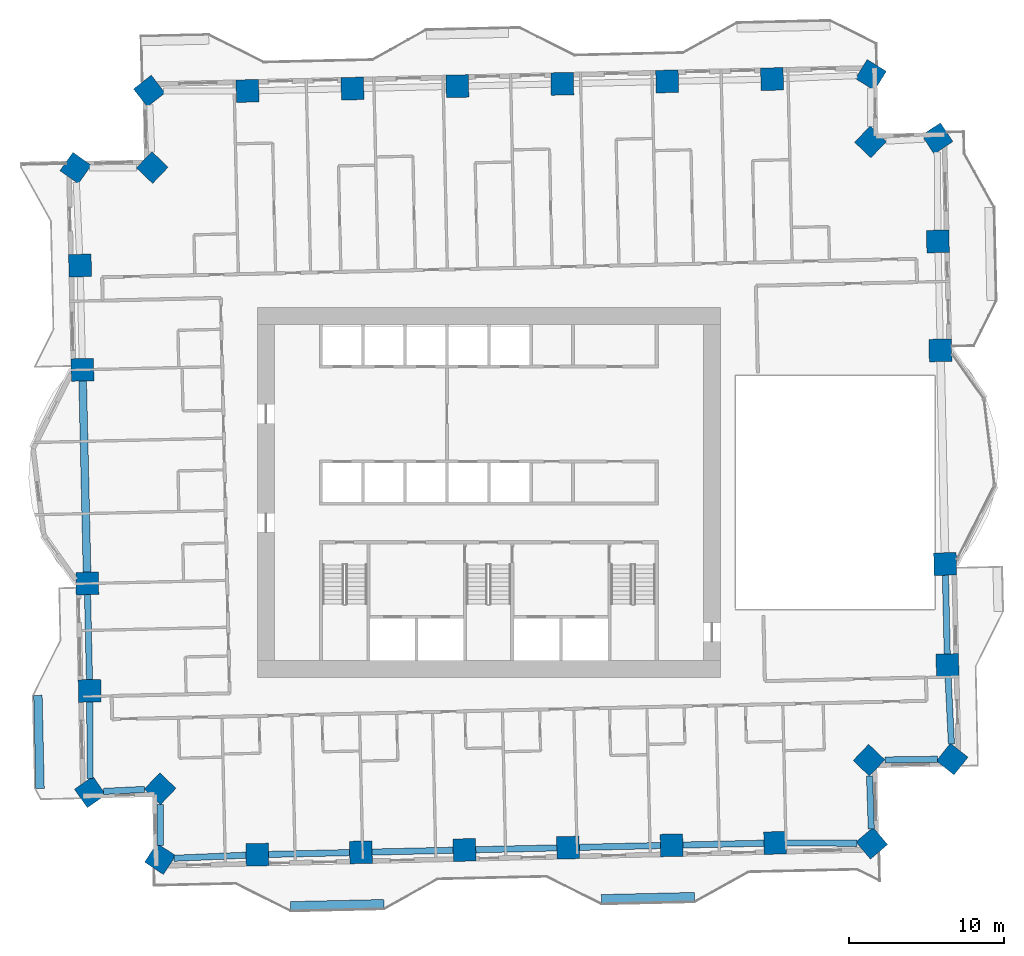
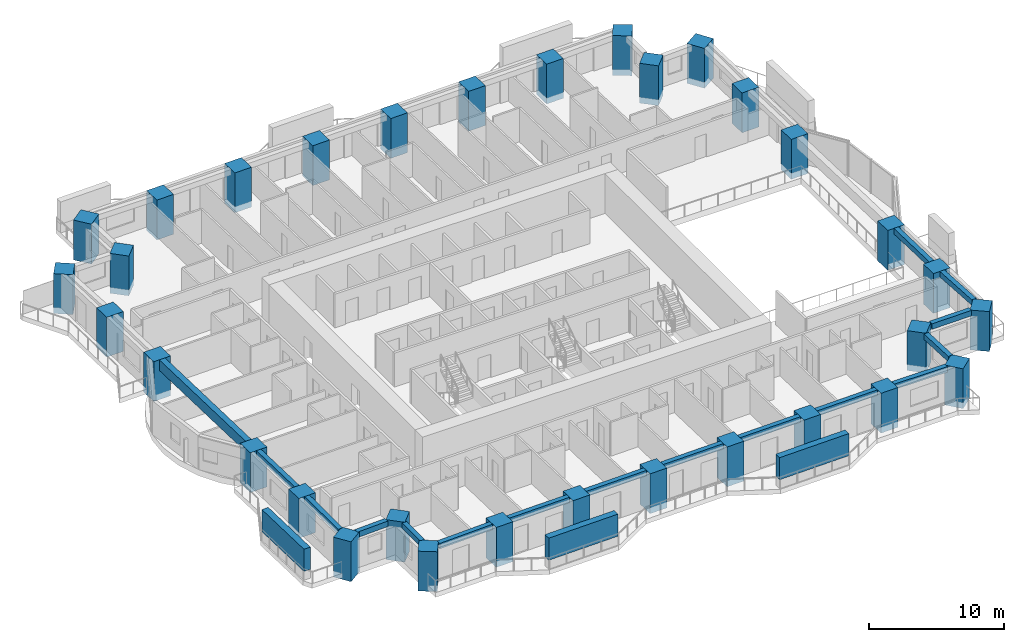
# One storey, part 1 of 17: 32 columns, 16 beams, 3 members.
"""IFC4 building model written with IfcOpenShell, lengths in metres."""

from ifc_helpers import new_model, si_unit, direction, frame, origin, origin_2d, place, context, subcontext, project, spatial, rectangle, extrude, material, material_profile, profile_set, type_object, element, save


model = new_model("IFC4")

# Units and contexts
model_context = context("Model", 3, precision=1e-05, world=origin(), true_north=direction((0.0, 1.0)))
body_context = subcontext(model_context, "Body", "Model", "MODEL_VIEW")
ifc_project = project(units=[si_unit("LENGTHUNIT", "METRE"), si_unit("AREAUNIT", "SQUARE_METRE"), si_unit("VOLUMEUNIT", "CUBIC_METRE"), si_unit("PLANEANGLEUNIT", "RADIAN"), si_unit("MASSUNIT", "GRAM", prefix="KILO")], contexts=[model_context])

# Site, building, storey
site_placement = place(None, origin())
site = spatial("IfcSite", under=ifc_project, at=site_placement, CompositionType="ELEMENT")
building_placement = place(site_placement, origin())
building = spatial("IfcBuilding", under=site, at=building_placement, Name="Mangrove Gate Tower", CompositionType="ELEMENT")
storey_placement = place(building_placement, frame((0.0, 0.0, 82.89990234375)))
storey = spatial("IfcBuildingStorey", under=building, at=storey_placement, Name="L20", CompositionType="ELEMENT", Elevation=82.89990234375)

# Columns
ifc_material_1 = material(Name="Concrete C70/85", Category="concrete")
ifc_material_profile_1 = material_profile(ifc_material_1, rectangle(XDim=1.449951171875, YDim=1.449951171875, at=origin_2d()))
ifc_profile_set_1 = profile_set([ifc_material_profile_1], Name="Concrete C70/85")
column_type = type_object("IfcColumnType", Name="Column RC 1450x1450 C70/85", PredefinedType="COLUMN", material=ifc_profile_set_1)
for number, where, z_axis, x_axis, name in (
    (1, (-25.84814453125, -5.849609375, -0.5498046875), (0.0, 0.0, 1.0), (0.022697227041, -0.99974238476, 0.0), "Column L20 W05"),
    (2, (-25.691162109375, -12.760498046875, -0.5498046875), (0.0, 0.0, 1.0), (0.022711552501, -0.999742059425, 0.0), "Column L20 W06"),
    (3, (-25.664794921875, -19.272705078125, -0.5498046875), (0.0, 0.0, 1.0), (0.572799342172, -0.819695622538, 0.0), "Column L20 W07"),
    (4, (-21.1591796875, -19.058837890625, -0.5498046875), (0.0, 0.0, 1.0), (0.722988982899, -0.690859559249, 0.0), "Column L20 W08"),
    (5, (-21.157958984375, -23.576171875, -0.5498046875), (0.0, 0.0, 1.0), (0.835754041756, -0.549103980762, 0.0), "Column L20 S01"),
    (6, (-14.906494140625, -23.30615234375, -0.5498046875), (0.0, 0.0, 1.0), (0.999741835415, 0.022721411066, 0.0), "Column L20 S02"),
    (7, (-8.240478515625, -23.154296875, -0.5498046875), (0.0, 0.0, 1.0), (0.999741796947, 0.022723103599, 0.0), "Column L20 S03"),
    (8, (-1.575439453125, -23.003173828125, -0.5498046875), (0.0, 0.0, 1.0), (0.999743497505, 0.022648160999, 0.0), "Column L20 S04"),
    (9, (5.090576171875, -22.852294921875, -0.5498046875), (0.0, 0.0, 1.0), (0.999743536241, 0.022646451015, 0.0), "Column L20 S05"),
    (10, (11.756591796875, -22.701171875, -0.5498046875), (0.0, 0.0, 1.0), (0.999741796947, 0.022723103599, 0.0), "Column L20 S06"),
    (11, (18.421630859375, -22.549072265625, -0.5498046875), (0.0, 0.0, 1.0), (0.999741796947, 0.022723103599, 0.0), "Column L20 S07"),
    (12, (24.635009765625, -22.570068359375, -0.5498046875), (0.0, 0.0, 1.0), (0.762709463852, 0.646741272651, 0.0), "Column L20 S08"),
    (13, (24.457763671875, -17.22412109375, -0.5498046875), (0.0, 0.0, 1.0), (0.690883635037, 0.722965976266, 0.0), "Column L20 E01"),
    (14, (29.8115234375, -17.152099609375, -0.5498046875), (0.0, 0.0, 1.0), (0.620563665396, 0.784156066858, 0.0), "Column L20 E02"),
    (15, (29.507080078125, -11.107421875, -0.5498046875), (0.0, 0.0, 1.0), (-0.02264990588, 0.999743457975, 0.0), "Column L20 E03"),
    (16, (29.360107421875, -4.597412109375, -0.5498046875), (0.0, 0.0, 1.0), (-0.022653011769, 0.999743387604, 0.0), "Column L20 E04"),
    (17, (29.048095703125, 9.149658203125, -0.5498046875), (0.0, 0.0, 1.0), (-0.022684210237, 0.999742680196, 0.0), "Column L20 E05"),
    (18, (28.88916015625, 16.16064453125, -0.5498046875), (0.0, 0.0, 1.0), (-0.022674438908, 0.99974290186, 0.0), "Column L20 E06"),
    (19, (28.849853515625, 22.787841796875, -0.5498046875), (0.0, 0.0, 1.0), (-0.550567885303, 0.834790395053, 0.0), "Column L20 E07"),
    (20, (24.55517578125, 22.56396484375, -0.5498046875), (0.0, 0.0, 1.0), (-0.722913991344, 0.690938029869, 0.0), "Column L20 E08"),
    (21, (24.57421875, 26.87060546875, -0.5498046875), (0.0, 0.0, 1.0), (-0.85008265929, 0.526649287832, 0.0), "Column L20 N01"),
    (22, (18.220458984375, 26.608154296875, -0.5498046875), (0.0, 0.0, 1.0), (-0.999741644236, -0.022729821381, 0.0), "Column L20 N02"),
    (23, (11.469482421875, 26.455078125, -0.5498046875), (0.0, 0.0, 1.0), (-0.999743285984, -0.022657496114, 0.0), "Column L20 N03"),
    (24, (4.718505859375, 26.30224609375, -0.5498046875), (0.0, 0.0, 1.0), (-0.999743323945, -0.022655821028, 0.0), "Column L20 N04"),
    (25, (-2.033447265625, 26.149169921875, -0.5498046875), (0.0, 0.0, 1.0), (-0.999741644236, -0.022729821381, 0.0), "Column L20 N05"),
    (26, (-8.784423828125, 25.9951171875, -0.5498046875), (0.0, 0.0, 1.0), (-0.999741644236, -0.022729821381, 0.0), "Column L20 N06"),
    (27, (-15.53662109375, 25.84228515625, -0.5498046875), (0.0, 0.0, 1.0), (-0.999743323945, -0.022655821028, 0.0), "Column L20 N07"),
    (28, (-21.859375, 25.84130859375, -0.5498046875), (0.0, 0.0, 1.0), (-0.789979802002, -0.613132866864, 0.0), "Column L20 N08"),
    (29, (-21.666748046875, 20.9140625, -0.5498046875), (0.0, 0.0, 1.0), (-0.690872556232, -0.722976563275, 0.0), "Column L20 W01"),
    (30, (-26.597900390625, 20.88232421875, -0.5498046875), (0.0, 0.0, 1.0), (-0.5789981691, -0.815328841744, 0.0), "Column L20 W02"),
    (31, (-26.312255859375, 14.607421875, -0.5498046875), (0.0, 0.0, 1.0), (0.022645264495, -0.999743563118, 0.0), "Column L20 W03"),
    (32, (-26.16015625, 7.8974609375, -0.5498046875), (0.0, 0.0, 1.0), (0.022675887158, -0.999742869013, 0.0), "Column L20 W04"),
):
    element("IfcColumn", number, at=place(storey_placement, frame(where, z_axis=z_axis, x_axis=x_axis)), inside=storey, type_object=column_type, Name=name, PredefinedType="COLUMN", context=body_context, shape_type="SweptSolid", body=[
        extrude(rectangle(XDim=1.449951171875, YDim=1.449951171875, at=origin_2d()), origin(), (0.0, 0.0, 1.0), 3.599853515625),
    ])

# Members
ifc_material_2 = material(Name="Planting on aluminium trellis", Category="aluminium")
ifc_material_profile_2 = material_profile(ifc_material_2, rectangle(XDim=0.550048828125, YDim=2.0, at=origin_2d()))
ifc_profile_set_2 = profile_set([ifc_material_profile_2], Name="Planting on aluminium trellis")
member_type = type_object("IfcMemberType", Name="Balcony greenery screen 550x2000", PredefinedType="USERDEFINED", material=ifc_profile_set_2)
member_placement = place(storey_placement, frame((-28.888916015625, -19.047119140625, 1.800048828125), z_axis=(-0.022665943652, 0.999743094499, 0.0), x_axis=(-0.999743094499, -0.022665943652, 0.0)))
element("IfcMember", 33, at=member_placement, inside=storey, type_object=member_type, Name="GREEN SCREEN L20 W1.1", ObjectType="PLANTING", PredefinedType="USERDEFINED", context=body_context, shape_type="SweptSolid", body=[
    extrude(rectangle(XDim=0.550048828125, YDim=2.0, at=origin_2d()), origin(), (0.0, 0.0, 1.0), 5.99951171875),
])
for number, where, z_axis, x_axis, name in (
    (34, (-12.762939453125, -26.597900390625, 1.800048828125), (0.999743178102, 0.022662255828, 0.0), (-0.022662255828, 0.999743178102, 0.0), "GREEN SCREEN L20 S0.1"),
    (35, (7.23193359375, -26.14404296875, 1.800048828125), (0.999743178102, 0.022662255828, 0.0), (-0.022662255828, 0.999743178102, 0.0), "GREEN SCREEN L20 S1.1"),
):
    element("IfcMember", number, at=place(storey_placement, frame(where, z_axis=z_axis, x_axis=x_axis)), inside=storey, type_object=member_type, Name=name, ObjectType="PLANTING", PredefinedType="USERDEFINED", context=body_context, shape_type="SweptSolid", body=[
        extrude(rectangle(XDim=0.550048828125, YDim=2.0, at=origin_2d()), origin(), (0.0, 0.0, 1.0), 6.00048828125),
    ])

# Beams
ifc_material_3 = material(Name="Concrete C50/60", Category="concrete")
ifc_material_profile_3 = material_profile(ifc_material_3, rectangle(XDim=0.39990234375, YDim=0.5, at=origin_2d()))
ifc_profile_set_3 = profile_set([ifc_material_profile_3], Name="Concrete C50/60")
beam_type_1 = type_object("IfcBeamType", Name="Edge beam RC 400x500 C50/60", PredefinedType="BEAM", material=ifc_profile_set_3)
beam_1_placement = place(storey_placement, frame((-25.831787109375, -6.574462890625, 2.800048828125), z_axis=(0.022704146437, -0.999742227644, 0.0), x_axis=(0.999742227644, 0.022704146437, 0.0)))
element("IfcBeam", 36, at=beam_1_placement, inside=storey, type_object=beam_type_1, Name="Edge beam L20 00", PredefinedType="BEAM", context=body_context, shape_type="SweptSolid", body=[
    extrude(rectangle(XDim=0.39990234375, YDim=0.5, at=origin_2d()), origin(), (0.0, 0.0, 1.0), 5.462646484375),
])
beam_2_placement = place(storey_placement, frame((-25.688232421875, -13.485595703125, 2.800048828125), z_axis=(0.00408119237, -0.9999916719, 0.0), x_axis=(0.9999916719, 0.00408119237, 0.0)))
element("IfcBeam", 37, at=beam_2_placement, inside=storey, type_object=beam_type_1, Name="Edge beam L20 01", PredefinedType="BEAM", context=body_context, shape_type="SweptSolid", body=[
    extrude(rectangle(XDim=0.39990234375, YDim=0.5, at=origin_2d()), origin(), (0.0, 0.0, 1.0), 4.9052734375),
])
beam_3_placement = place(storey_placement, frame((-24.80859375, -19.232177734375, 2.800048828125), z_axis=(0.998871674822, 0.047490812145, 0.0), x_axis=(-0.047490812145, 0.998871674822, 0.0)))
element("IfcBeam", 38, at=beam_3_placement, inside=storey, type_object=beam_type_1, Name="Edge beam L20 02", PredefinedType="BEAM", context=body_context, shape_type="SweptSolid", body=[
    extrude(rectangle(XDim=0.39990234375, YDim=0.5, at=origin_2d()), origin(), (0.0, 0.0, 1.0), 2.652587890625),
])
beam_4_placement = place(storey_placement, frame((-21.158935546875, -20.061767578125, 2.800048828125), z_axis=(0.000276727229, -0.999999961711, 0.0), x_axis=(0.999999961711, 0.000276727229, 0.0)))
element("IfcBeam", 39, at=beam_4_placement, inside=storey, type_object=beam_type_1, Name="Edge beam L20 03", PredefinedType="BEAM", context=body_context, shape_type="SweptSolid", body=[
    extrude(rectangle(XDim=0.39990234375, YDim=0.5, at=origin_2d()), origin(), (0.0, 0.0, 1.0), 2.646728515625),
])
beam_5_placement = place(storey_placement, frame((-20.26513671875, -23.53759765625, 2.800048828125), z_axis=(0.999068234877, 0.043158568781, 0.0), x_axis=(-0.043158568781, 0.999068234877, 0.0)))
element("IfcBeam", 40, at=beam_5_placement, inside=storey, type_object=beam_type_1, Name="Edge beam L20 04", PredefinedType="BEAM", context=body_context, shape_type="SweptSolid", body=[
    extrude(rectangle(XDim=0.39990234375, YDim=0.5, at=origin_2d()), origin(), (0.0, 0.0, 1.0), 4.638671875),
])
beam_6_placement = place(storey_placement, frame((-14.181640625, -23.28955078125, 2.800048828125), z_axis=(0.999740335669, 0.02278730429, 0.0), x_axis=(-0.02278730429, 0.999740335669, 0.0)))
element("IfcBeam", 41, at=beam_6_placement, inside=storey, type_object=beam_type_1, Name="Edge beam L20 05", PredefinedType="BEAM", context=body_context, shape_type="SweptSolid", body=[
    extrude(rectangle(XDim=0.39990234375, YDim=0.5, at=origin_2d()), origin(), (0.0, 0.0, 1.0), 5.2177734375),
])
beam_7_placement = place(storey_placement, frame((-7.515625, -23.1376953125, 2.800048828125), z_axis=(0.999743427717, 0.022651241411, 0.0), x_axis=(-0.022651241411, 0.999743427717, 0.0)))
element("IfcBeam", 42, at=beam_7_placement, inside=storey, type_object=beam_type_1, Name="Edge beam L20 06", PredefinedType="BEAM", context=body_context, shape_type="SweptSolid", body=[
    extrude(rectangle(XDim=0.39990234375, YDim=0.5, at=origin_2d()), origin(), (0.0, 0.0, 1.0), 5.216552734375),
])
for number, where, z_axis, x_axis, name in (
    (43, (-0.8505859375, -22.98681640625, 2.800048828125), (0.999743523738, 0.022647002972, 0.0), (-0.022647002972, 0.999743523738, 0.0), "Edge beam L20 07"),
    (44, (5.8154296875, -22.835693359375, 2.800048828125), (0.999743523738, 0.022647002972, 0.0), (-0.022647002972, 0.999743523738, 0.0), "Edge beam L20 08"),
):
    element("IfcBeam", number, at=place(storey_placement, frame(where, z_axis=z_axis, x_axis=x_axis)), inside=storey, type_object=beam_type_1, Name=name, PredefinedType="BEAM", context=body_context, shape_type="SweptSolid", body=[
        extrude(rectangle(XDim=0.39990234375, YDim=0.5, at=origin_2d()), origin(), (0.0, 0.0, 1.0), 5.217529296875),
    ])
beam_8_placement = place(storey_placement, frame((12.4814453125, -22.6845703125, 2.800048828125), z_axis=(0.999740238454, 0.02279156896, 0.0), x_axis=(-0.02279156896, 0.999740238454, 0.0)))
element("IfcBeam", 45, at=beam_8_placement, inside=storey, type_object=beam_type_1, Name="Edge beam L20 09", PredefinedType="BEAM", context=body_context, shape_type="SweptSolid", body=[
    extrude(rectangle(XDim=0.39990234375, YDim=0.5, at=origin_2d()), origin(), (0.0, 0.0, 1.0), 5.216796875),
])
beam_9_placement = place(storey_placement, frame((19.146728515625, -22.551513671875, 2.800048828125), z_axis=(0.999994249006, -0.003391453364, 0.0), x_axis=(0.003391453364, 0.999994249006, 0.0)))
element("IfcBeam", 46, at=beam_9_placement, inside=storey, type_object=beam_type_1, Name="Edge beam L20 10", PredefinedType="BEAM", context=body_context, shape_type="SweptSolid", body=[
    extrude(rectangle(XDim=0.39990234375, YDim=0.5, at=origin_2d()), origin(), (0.0, 0.0, 1.0), 4.53515625),
])
beam_10_placement = place(storey_placement, frame((24.6044921875, -21.6455078125, 2.800048828125), z_axis=(-0.03315745307, 0.99945014048, 0.0), x_axis=(-0.99945014048, -0.03315745307, 0.0)))
element("IfcBeam", 47, at=beam_10_placement, inside=storey, type_object=beam_type_1, Name="Edge beam L20 11", PredefinedType="BEAM", context=body_context, shape_type="SweptSolid", body=[
    extrude(rectangle(XDim=0.39990234375, YDim=0.5, at=origin_2d()), origin(), (0.0, 0.0, 1.0), 3.4091796875),
])
beam_11_placement = place(storey_placement, frame((25.4736328125, -17.21044921875, 2.800048828125), z_axis=(0.999909071314, 0.01348514386, 0.0), x_axis=(-0.01348514386, 0.999909071314, 0.0)))
element("IfcBeam", 48, at=beam_11_placement, inside=storey, type_object=beam_type_1, Name="Edge beam L20 12", PredefinedType="BEAM", context=body_context, shape_type="SweptSolid", body=[
    extrude(rectangle(XDim=0.39990234375, YDim=0.5, at=origin_2d()), origin(), (0.0, 0.0, 1.0), 3.403564453125),
])
beam_12_placement = place(storey_placement, frame((29.762939453125, -16.189208984375, 2.800048828125), z_axis=(-0.0502501973, 0.998736660823, 0.0), x_axis=(-0.998736660823, -0.0502501973, 0.0)))
element("IfcBeam", 49, at=beam_12_placement, inside=storey, type_object=beam_type_1, Name="Edge beam L20 13", PredefinedType="BEAM", context=body_context, shape_type="SweptSolid", body=[
    extrude(rectangle(XDim=0.39990234375, YDim=0.5, at=origin_2d()), origin(), (0.0, 0.0, 1.0), 4.363037109375),
])
beam_13_placement = place(storey_placement, frame((29.49072265625, -10.382568359375, 2.800048828125), z_axis=(-0.022573490963, 0.999745186288, 0.0), x_axis=(-0.999745186288, -0.022573490963, 0.0)))
element("IfcBeam", 50, at=beam_13_placement, inside=storey, type_object=beam_type_1, Name="Edge beam L20 14", PredefinedType="BEAM", context=body_context, shape_type="SweptSolid", body=[
    extrude(rectangle(XDim=0.39990234375, YDim=0.5, at=origin_2d()), origin(), (0.0, 0.0, 1.0), 5.0615234375),
])
ifc_material_4 = material(Name="Concrete C50/60", Category="concrete")
ifc_material_profile_4 = material_profile(ifc_material_4, rectangle(XDim=0.5, YDim=0.949951171875, at=origin_2d()))
ifc_profile_set_4 = profile_set([ifc_material_profile_4], Name="Concrete C50/60")
beam_type_2 = type_object("IfcBeamType", Name="Edge beam RC 500x950 C50/60", PredefinedType="BEAM", material=ifc_profile_set_4)
beam_14_placement = place(storey_placement, frame((-26.143798828125, 7.172607421875, 2.5751953125), z_axis=(0.022686238453, -0.999742634174, 0.0), x_axis=(0.999742634174, 0.022686238453, 0.0)))
element("IfcBeam", 51, at=beam_14_placement, inside=storey, type_object=beam_type_2, Name="Edge beam L20 31", PredefinedType="BEAM", context=body_context, shape_type="SweptSolid", body=[
    extrude(rectangle(XDim=0.5, YDim=0.949951171875, at=origin_2d()), origin(), (0.0, 0.0, 1.0), 12.300537109375),
])

save(model, "model.ifc")
